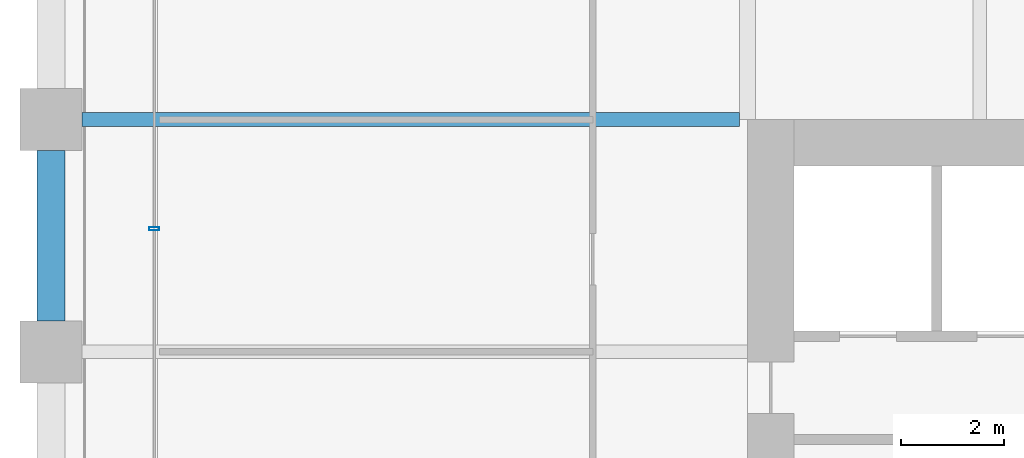
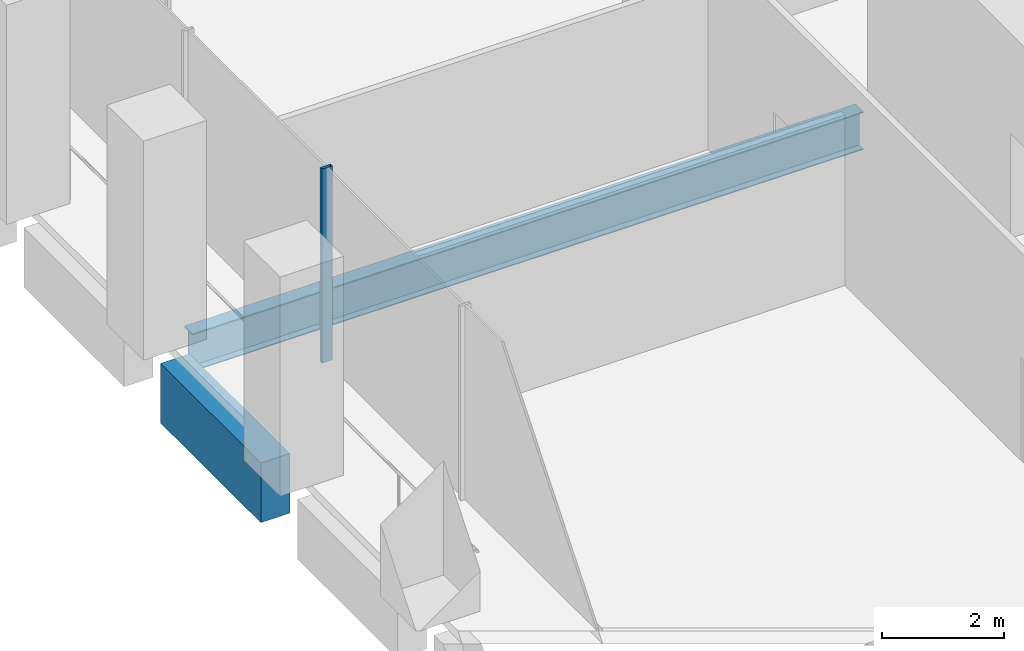
# One storey, part 8 of 36: 2 beams, 1 member, 1 element without a shape of its own.
"""IFC4 building model written with IfcOpenShell, lengths in metres."""

from ifc_helpers import new_model, si_unit, direction, frame, origin, origin_2d, place, context, subcontext, project, spatial, rectangle, hollow_rectangle, i_section, extrude, material, material_profile, profile_set, type_object, element, aggregate, save


model = new_model("IFC4")

# Units and contexts
model_context = context("Model", 3, precision=1e-05, world=origin(), true_north=direction((0.0, 1.0)))
body_context = subcontext(model_context, "Body", "Model", "MODEL_VIEW")
ifc_project = project(units=[si_unit("LENGTHUNIT", "METRE"), si_unit("AREAUNIT", "SQUARE_METRE"), si_unit("VOLUMEUNIT", "CUBIC_METRE"), si_unit("PLANEANGLEUNIT", "RADIAN"), si_unit("MASSUNIT", "GRAM", prefix="KILO")], contexts=[model_context])

# Site, building, storey
site_placement = place(None, origin())
site = spatial("IfcSite", under=ifc_project, at=site_placement, CompositionType="ELEMENT")
building_placement = place(site_placement, origin())
building = spatial("IfcBuilding", under=site, at=building_placement, Name="Altepetl Exchange Towers", CompositionType="ELEMENT")
storey_placement = place(building_placement, frame((0.0, 0.0, 29.800048828125)))
storey = spatial("IfcBuildingStorey", under=building, at=storey_placement, Name="L06", CompositionType="ELEMENT", Elevation=29.800048828125)

# Beam
ifc_material_1 = material(Name="Steel S355", Category="steel")
ifc_material_profile_1 = material_profile(ifc_material_1, i_section(OverallWidth=0.26611328125, OverallDepth=0.758056640625, WebThickness=0.013916015625, FlangeThickness=0.019287109375, at=origin_2d()), Name="W30X108")
ifc_profile_set_1 = profile_set([ifc_material_profile_1], Name="Steel S355")
beam_type_1 = type_object("IfcBeamType", Name="Floor beam W30X108", PredefinedType="BEAM", material=ifc_profile_set_1)
beam_1_placement = place(storey_placement, frame((27.60009765625, 58.5, -0.553955078125), z_axis=(1.0, 0.0, 0.0), x_axis=(0.0, 1.0, 0.0)))
element("IfcBeam", 1, at=beam_1_placement, inside=storey, type_object=beam_type_1, Name="bm:A:L06:021", PredefinedType="BEAM", context=body_context, shape_type="SweptSolid", body=[
    extrude(i_section(OverallWidth=0.26611328125, OverallDepth=0.758056640625, WebThickness=0.013916015625, FlangeThickness=0.019287109375, at=origin_2d()), origin(), (0.0, 0.0, 1.0), 12.745849609375),
])

# Curtain wall, member
ifc_material_2 = material(Name="Aluminium 6063-T6 glazing", Category="aluminium")
curtain_wall_type = type_object("IfcCurtainWallType", Name="Trading floor glazing system", PredefinedType="NOTDEFINED", material=ifc_material_2)
curtain_wall_placement = place(storey_placement, origin())
curtain_wall = element("IfcCurtainWall", 2, at=curtain_wall_placement, inside=storey, type_object=curtain_wall_type, Name="CW2 run", PredefinedType="NOTDEFINED")
ifc_material_3 = material(Name="Aluminium 6063-T6", Category="aluminium")
ifc_material_profile_2 = material_profile(ifc_material_3, hollow_rectangle(XDim=0.06005859375, YDim=0.199951171875, WallThickness=0.0029296875, at=origin_2d()), Name="Mullion 60x200 aluminium")
ifc_profile_set_2 = profile_set([ifc_material_profile_2], Name="Aluminium 6063-T6")
member_type = type_object("IfcMemberType", Name="Mullion 60x200 aluminium", PredefinedType="MULLION", material=ifc_profile_set_2)
member_placement = place(storey_placement, frame((29.0, 56.3857421875, 0.0), z_axis=(0.0, 0.0, 1.0), x_axis=(0.0, -1.0, 0.0)))
member = element("IfcMember", 3, at=member_placement, type_object=member_type, Name="MU2 mullion", PredefinedType="MULLION", context=body_context, shape_type="SweptSolid", body=[
    extrude(hollow_rectangle(XDim=0.06005859375, YDim=0.199951171875, WallThickness=0.0029296875, at=origin_2d()), origin(), (0.0, 0.0, 1.0), 3.89990234375),
])
aggregate(curtain_wall, [member])

# Beam
ifc_material_4 = material(Name="Concrete C50/60 precast with tezontle facing", Category="concrete")
ifc_material_profile_3 = material_profile(ifc_material_4, rectangle(XDim=0.550048828125, YDim=1.199951171875, at=origin_2d()), Name="550 x 1200")
ifc_profile_set_3 = profile_set([ifc_material_profile_3], Name="Concrete C50/60 precast with tezontle facing")
beam_type_2 = type_object("IfcBeamType", Name="Spandrel beam 550x1200 tezontle", PredefinedType="SPANDREL", material=ifc_profile_set_3)
beam_2_placement = place(storey_placement, frame((27.0, 57.89990234375, -0.775146484375), z_axis=(0.0, -1.0, 0.0), x_axis=(1.0, 0.0, 0.0)))
element("IfcBeam", 4, at=beam_2_placement, inside=storey, type_object=beam_type_2, Name="sp:A:L06:038", PredefinedType="SPANDREL", context=body_context, shape_type="SweptSolid", body=[
    extrude(rectangle(XDim=0.550048828125, YDim=1.199951171875, at=origin_2d()), origin(), (0.0, 0.0, 1.0), 3.2998046875),
])

save(model, "model.ifc")
